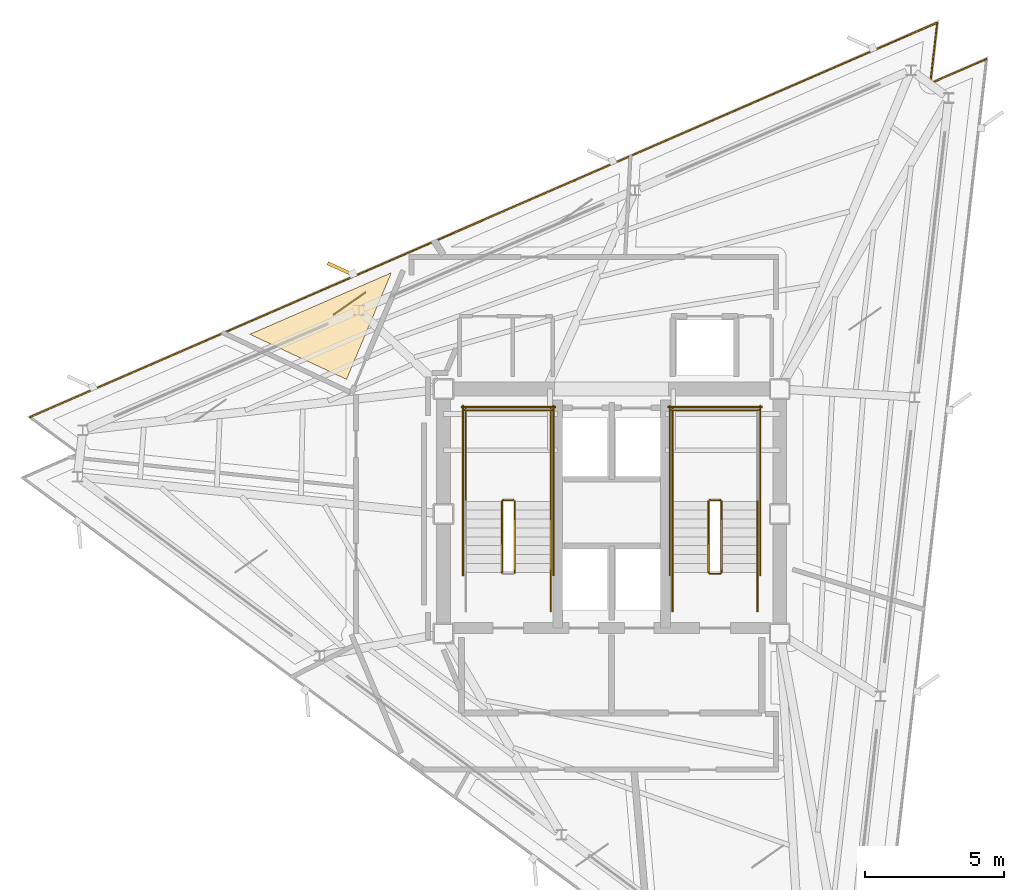
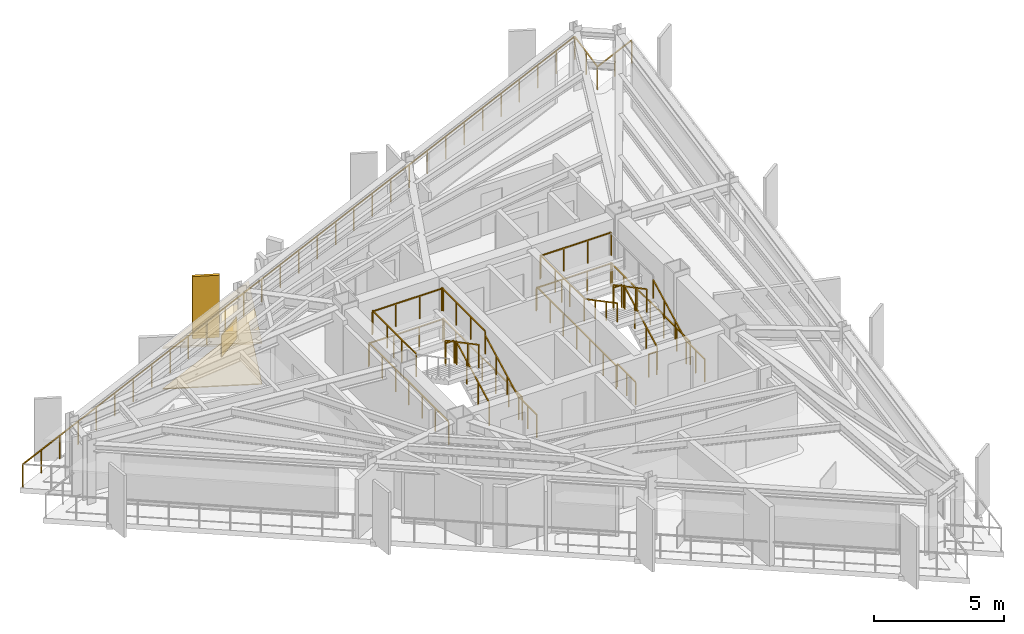
# One storey, part 9 of 10: 25 railings, 3 coverings, 1 shading device.
"""IFC4 building model written with IfcOpenShell, lengths in metres."""

from ifc_helpers import new_model, si_unit, direction, frame, origin, origin_2d, place, context, subcontext, project, spatial, polyline, rectangle, outline, extrude, material, layer, layer_set, type_object, element, save


model = new_model("IFC4")

# Units and contexts
model_context = context("Model", 3, precision=1e-05, world=origin(), true_north=direction((0.0, 1.0)))
body_context = subcontext(model_context, "Body", "Model", "MODEL_VIEW")
ifc_project = project(units=[si_unit("LENGTHUNIT", "METRE"), si_unit("AREAUNIT", "SQUARE_METRE"), si_unit("VOLUMEUNIT", "CUBIC_METRE"), si_unit("PLANEANGLEUNIT", "RADIAN"), si_unit("MASSUNIT", "GRAM", prefix="KILO")], contexts=[model_context])

# Site, building, storey
site_placement = place(None, origin())
site = spatial("IfcSite", under=ifc_project, at=site_placement, CompositionType="ELEMENT")
building_placement = place(site_placement, origin())
building = spatial("IfcBuilding", under=site, at=building_placement, Name="Rocaltana Carrier Exchange", CompositionType="ELEMENT")
storey_placement = place(building_placement, frame((0.0, 0.0, 227.0400390625)))
storey = spatial("IfcBuildingStorey", under=building, at=storey_placement, Name="L72", CompositionType="ELEMENT", Elevation=227.0400390625)

# Coverings
ifc_material_1 = material(Name="Honed Bogota Sandstone Tile", Category="masonry")
ifc_layer_1 = layer(ifc_material_1, 0.0400390625)
ifc_layer_set_1 = layer_set([ifc_layer_1], Name="Honed Bogota Sandstone Tile")
covering_type_1 = type_object("IfcCoveringType", Name="Honed Stone Lobby Flooring 40", PredefinedType="FLOORING", material=ifc_layer_set_1)
covering_1_placement = place(storey_placement, origin())
element("IfcCovering", 1, at=covering_1_placement, inside=storey, type_object=covering_type_1, Name="L72 Optical Switching Laboratory Finish Floor", PredefinedType="FLOORING", context=body_context, shape_type="SweptSolid", body=[
    extrude(outline(polyline([(-7.927490234375, 8.683837890625), (-9.541015625, 4.84619140625), (-13.021240234375, 6.468994140625), (-7.927490234375, 8.683837890625)])), origin(), (0.0, 0.0, 1.0), 0.0400390625),
])
ifc_material_2 = material(Name="Anodised Aluminium 6063-T6", Category="aluminium")
ifc_layer_2 = layer(ifc_material_2, 0.0849609375)
ifc_layer_set_2 = layer_set([ifc_layer_2], Name="Anodised Aluminium 6063-T6")
covering_type_2 = type_object("IfcCoveringType", Name="Linear Baffle Acoustic Ceiling 85", PredefinedType="CEILING", material=ifc_layer_set_2)
covering_2_placement = place(storey_placement, frame((0.0, 0.0, 1.903076171875)))
element("IfcCovering", 2, at=covering_2_placement, inside=storey, type_object=covering_type_2, Name="L72 Optical Switching Laboratory Acoustic Ceiling", PredefinedType="CEILING", context=body_context, shape_type="SweptSolid", body=[
    extrude(outline(polyline([(-7.927490234375, 8.683837890625), (-9.541015625, 4.84619140625), (-13.021240234375, 6.468994140625), (-7.927490234375, 8.683837890625)])), origin(), (0.0, 0.0, 1.0), 0.0849609375),
])

# Railings
ifc_material_3 = material(Name="Brushed Architectural Stainless Tube", Category="steel")
ifc_layer_3 = layer(ifc_material_3, 0.048095703125)
ifc_layer_set_3 = layer_set([ifc_layer_3], Name="Brushed Architectural Stainless Tube")
railing_type_1 = type_object("IfcRailingType", Name="Stair Wall Handrail 920", PredefinedType="HANDRAIL", material=ifc_layer_set_3)
for number, where, name in (
    (3, (-2.18994140625, -2.10009765625, 0.1689453125), "L72 ST-1 stair handrail 1"),
    (4, (5.25, -2.10009765625, 0.1689453125), "L72 ST-2 stair handrail 1"),
):
    element("IfcRailing", number, at=place(storey_placement, frame(where)), inside=storey, type_object=railing_type_1, Name=name, PredefinedType="HANDRAIL", context=body_context, shape_type="SweptSolid", body=[
        extrude(rectangle(XDim=0.048095703125, YDim=0.048095703125, at=origin_2d()), frame((0.0, 0.0, 0.8759765625), z_axis=(0.0, 0.884394423565, 0.466740295633), x_axis=(-1.0, 0.0, 0.0)), (0.0, 0.0, 1.0), 2.894775390625),
        extrude(rectangle(XDim=0.0419921875, YDim=0.0419921875, at=origin_2d()), origin(), (0.0, 0.0, 1.0), 0.851806640625),
        extrude(rectangle(XDim=0.0419921875, YDim=0.0419921875, at=origin_2d()), frame((0.0, 0.853271484375, 0.450439453125)), (0.0, 0.0, 1.0), 0.851806640625),
        extrude(rectangle(XDim=0.0419921875, YDim=0.0419921875, at=origin_2d()), frame((0.0, 1.706787109375, 0.900634765625)), (0.0, 0.0, 1.0), 0.851806640625),
        extrude(rectangle(XDim=0.0419921875, YDim=0.0419921875, at=origin_2d()), frame((0.0, 2.56005859375, 1.35107421875)), (0.0, 0.0, 1.0), 0.851806640625),
    ])
railing_1_placement = place(storey_placement, frame((2.18994140625, 0.4599609375, 1.68896484375)))
element("IfcRailing", 5, at=railing_1_placement, inside=storey, type_object=railing_type_1, Name="L72 ST-2 stair handrail 2", PredefinedType="HANDRAIL", context=body_context, shape_type="SweptSolid", body=[
    extrude(rectangle(XDim=0.048095703125, YDim=0.048095703125, at=origin_2d()), frame((0.0, 0.0, 0.8759765625), z_axis=(0.0, -0.884394423565, 0.466740295633), x_axis=(1.0, 0.0, 0.0)), (0.0, 0.0, 1.0), 2.894775390625),
    extrude(rectangle(XDim=0.0419921875, YDim=0.0419921875, at=origin_2d()), origin(), (0.0, 0.0, 1.0), 0.851806640625),
    extrude(rectangle(XDim=0.0419921875, YDim=0.0419921875, at=origin_2d()), frame((0.0, -0.853271484375, 0.450439453125)), (0.0, 0.0, 1.0), 0.851806640625),
    extrude(rectangle(XDim=0.0419921875, YDim=0.0419921875, at=origin_2d()), frame((0.0, -1.706787109375, 0.900634765625)), (0.0, 0.0, 1.0), 0.851806640625),
    extrude(rectangle(XDim=0.0419921875, YDim=0.0419921875, at=origin_2d()), frame((0.0, -2.56005859375, 1.35107421875)), (0.0, 0.0, 1.0), 0.851806640625),
])
ifc_material_4 = material(Name="Powder-Coated Aluminium 6063-T6", Category="aluminium")
ifc_layer_4 = layer(ifc_material_4, 0.048095703125)
ifc_layer_set_4 = layer_set([ifc_layer_4], Name="Powder-Coated Aluminium 6063-T6")
railing_type_2 = type_object("IfcRailingType", Name="Stair Well Guardrail 1100", PredefinedType="GUARDRAIL", material=ifc_layer_set_4)
railing_2_placement = place(storey_placement, frame((-3.489990234375, -2.10009765625, 0.1689453125)))
element("IfcRailing", 6, at=railing_2_placement, inside=storey, type_object=railing_type_2, Name="L72 ST-1 stair guard 1", PredefinedType="GUARDRAIL", context=body_context, shape_type="SweptSolid", body=[
    extrude(rectangle(XDim=0.048095703125, YDim=0.048095703125, at=origin_2d()), frame((0.0, 0.0, 1.076171875), z_axis=(0.0, 0.884394423565, 0.466740295633), x_axis=(-1.0, 0.0, 0.0)), (0.0, 0.0, 1.0), 2.894775390625),
    extrude(rectangle(XDim=0.0419921875, YDim=0.0419921875, at=origin_2d()), origin(), (0.0, 0.0, 1.0), 1.052001953125),
    extrude(rectangle(XDim=0.0419921875, YDim=0.0419921875, at=origin_2d()), frame((0.0, 0.853271484375, 0.450439453125)), (0.0, 0.0, 1.0), 1.052001953125),
    extrude(rectangle(XDim=0.0419921875, YDim=0.0419921875, at=origin_2d()), frame((0.0, 1.706787109375, 0.900634765625)), (0.0, 0.0, 1.0), 1.052001953125),
    extrude(rectangle(XDim=0.0419921875, YDim=0.0419921875, at=origin_2d()), frame((0.0, 2.56005859375, 1.35107421875)), (0.0, 0.0, 1.0), 1.052001953125),
])
railing_3_placement = place(storey_placement, frame((-3.5400390625, 0.510009765625, 1.52001953125)))
element("IfcRailing", 7, at=railing_3_placement, inside=storey, type_object=railing_type_2, Name="L72 ST-1 stair guard 2", PredefinedType="GUARDRAIL", context=body_context, shape_type="SweptSolid", body=[
    extrude(rectangle(XDim=0.048095703125, YDim=0.048095703125, at=origin_2d()), frame((0.0, 0.0, 1.076171875), z_axis=(-1.0, 0.0, 0.0), x_axis=(0.0, -1.0, 0.0)), (0.0, 0.0, 1.0), 0.35986328125),
    extrude(rectangle(XDim=0.0419921875, YDim=0.0419921875, at=origin_2d()), origin(), (0.0, 0.0, 1.0), 1.052001953125),
    extrude(rectangle(XDim=0.0419921875, YDim=0.0419921875, at=origin_2d()), frame((-0.35986328125, 0.0, 0.0)), (0.0, 0.0, 1.0), 1.052001953125),
])
for number, where, name in (
    (8, (-2.18994140625, 0.4599609375, 1.52001953125), "L72 ST-1 stair guard 3"),
    (9, (-5.25, 0.4599609375, 1.52001953125), "L72 ST-1 stair guard 4"),
):
    element("IfcRailing", number, at=place(storey_placement, frame(where)), inside=storey, type_object=railing_type_2, Name=name, PredefinedType="GUARDRAIL", context=body_context, shape_type="SweptSolid", body=[
        extrude(rectangle(XDim=0.048095703125, YDim=0.048095703125, at=origin_2d()), frame((0.0, 0.0, 1.076171875), z_axis=(0.0, 1.0, 0.0), x_axis=(-1.0, 0.0, 0.0)), (0.0, 0.0, 1.0), 3.340087890625),
        extrude(rectangle(XDim=0.0419921875, YDim=0.0419921875, at=origin_2d()), origin(), (0.0, 0.0, 1.0), 1.052001953125),
        extrude(rectangle(XDim=0.0419921875, YDim=0.0419921875, at=origin_2d()), frame((0.0, 1.11328125, 0.0)), (0.0, 0.0, 1.0), 1.052001953125),
        extrude(rectangle(XDim=0.0419921875, YDim=0.0419921875, at=origin_2d()), frame((0.0, 2.226806640625, 0.0)), (0.0, 0.0, 1.0), 1.052001953125),
        extrude(rectangle(XDim=0.0419921875, YDim=0.0419921875, at=origin_2d()), frame((0.0, 3.340087890625, 0.0)), (0.0, 0.0, 1.0), 1.052001953125),
    ])
railing_4_placement = place(storey_placement, frame((-2.139892578125, 3.75, 1.52001953125)))
element("IfcRailing", 10, at=railing_4_placement, inside=storey, type_object=railing_type_2, Name="L72 ST-1 stair guard 5", PredefinedType="GUARDRAIL", context=body_context, shape_type="SweptSolid", body=[
    extrude(rectangle(XDim=0.048095703125, YDim=0.048095703125, at=origin_2d()), frame((0.0, 0.0, 1.076171875), z_axis=(-1.0, 0.0, 0.0), x_axis=(0.0, -1.0, 0.0)), (0.0, 0.0, 1.0), 3.16015625),
    extrude(rectangle(XDim=0.0419921875, YDim=0.0419921875, at=origin_2d()), origin(), (0.0, 0.0, 1.0), 1.052001953125),
    extrude(rectangle(XDim=0.0419921875, YDim=0.0419921875, at=origin_2d()), frame((-1.053466796875, 0.0, 0.0)), (0.0, 0.0, 1.0), 1.052001953125),
    extrude(rectangle(XDim=0.0419921875, YDim=0.0419921875, at=origin_2d()), frame((-2.106689453125, 0.0, 0.0)), (0.0, 0.0, 1.0), 1.052001953125),
    extrude(rectangle(XDim=0.0419921875, YDim=0.0419921875, at=origin_2d()), frame((-3.16015625, 0.0, 0.0)), (0.0, 0.0, 1.0), 1.052001953125),
])
railing_5_placement = place(storey_placement, frame((-3.949951171875, 0.4599609375, 1.68896484375)))
element("IfcRailing", 11, at=railing_5_placement, inside=storey, type_object=railing_type_2, Name="L72 ST-1 stair guard 6", PredefinedType="GUARDRAIL", context=body_context, shape_type="SweptSolid", body=[
    extrude(rectangle(XDim=0.048095703125, YDim=0.048095703125, at=origin_2d()), frame((0.0, 0.0, 1.076171875), z_axis=(0.0, -0.884394423565, 0.466740295633), x_axis=(1.0, 0.0, 0.0)), (0.0, 0.0, 1.0), 2.894775390625),
    extrude(rectangle(XDim=0.0419921875, YDim=0.0419921875, at=origin_2d()), origin(), (0.0, 0.0, 1.0), 1.052001953125),
    extrude(rectangle(XDim=0.0419921875, YDim=0.0419921875, at=origin_2d()), frame((0.0, -0.853271484375, 0.450439453125)), (0.0, 0.0, 1.0), 1.052001953125),
    extrude(rectangle(XDim=0.0419921875, YDim=0.0419921875, at=origin_2d()), frame((0.0, -1.706787109375, 0.900634765625)), (0.0, 0.0, 1.0), 1.052001953125),
    extrude(rectangle(XDim=0.0419921875, YDim=0.0419921875, at=origin_2d()), frame((0.0, -2.56005859375, 1.35107421875)), (0.0, 0.0, 1.0), 1.052001953125),
])
railing_6_placement = place(storey_placement, frame((-2.18994140625, -3.5, 0.0)))
element("IfcRailing", 12, at=railing_6_placement, inside=storey, type_object=railing_type_2, Name="L72 ST-1 stair guard 8", PredefinedType="GUARDRAIL", context=body_context, shape_type="SweptSolid", body=[
    extrude(rectangle(XDim=0.048095703125, YDim=0.048095703125, at=origin_2d()), frame((0.0, 0.0, 1.076171875), z_axis=(0.0, 1.0, 0.0), x_axis=(-1.0, 0.0, 0.0)), (0.0, 0.0, 1.0), 1.39990234375),
    extrude(rectangle(XDim=0.0419921875, YDim=0.0419921875, at=origin_2d()), origin(), (0.0, 0.0, 1.0), 1.052001953125),
    extrude(rectangle(XDim=0.0419921875, YDim=0.0419921875, at=origin_2d()), frame((0.0, 0.699951171875, 0.0)), (0.0, 0.0, 1.0), 1.052001953125),
    extrude(rectangle(XDim=0.0419921875, YDim=0.0419921875, at=origin_2d()), frame((0.0, 1.39990234375, 0.0)), (0.0, 0.0, 1.0), 1.052001953125),
])
for number, where, name in (
    (13, (-2.090087890625, -2.199951171875, 0.0), "L72 ST-1 stair guard 10"),
    (14, (-5.35009765625, -2.199951171875, 0.0), "L72 ST-1 stair guard 11"),
):
    element("IfcRailing", number, at=place(storey_placement, frame(where)), inside=storey, type_object=railing_type_2, Name=name, PredefinedType="GUARDRAIL", context=body_context, shape_type="SweptSolid", body=[
        extrude(rectangle(XDim=0.048095703125, YDim=0.048095703125, at=origin_2d()), frame((0.0, 0.0, 1.076171875), z_axis=(0.0, 1.0, 0.0), x_axis=(-1.0, 0.0, 0.0)), (0.0, 0.0, 1.0), 6.099853515625),
        extrude(rectangle(XDim=0.0419921875, YDim=0.0419921875, at=origin_2d()), origin(), (0.0, 0.0, 1.0), 1.052001953125),
        extrude(rectangle(XDim=0.0419921875, YDim=0.0419921875, at=origin_2d()), frame((0.0, 1.0166015625, 0.0)), (0.0, 0.0, 1.0), 1.052001953125),
        extrude(rectangle(XDim=0.0419921875, YDim=0.0419921875, at=origin_2d()), frame((0.0, 2.033203125, 0.0)), (0.0, 0.0, 1.0), 1.052001953125),
        extrude(rectangle(XDim=0.0419921875, YDim=0.0419921875, at=origin_2d()), frame((0.0, 3.0498046875, 0.0)), (0.0, 0.0, 1.0), 1.052001953125),
        extrude(rectangle(XDim=0.0419921875, YDim=0.0419921875, at=origin_2d()), frame((0.0, 4.066650390625, 0.0)), (0.0, 0.0, 1.0), 1.052001953125),
        extrude(rectangle(XDim=0.0419921875, YDim=0.0419921875, at=origin_2d()), frame((0.0, 5.083251953125, 0.0)), (0.0, 0.0, 1.0), 1.052001953125),
        extrude(rectangle(XDim=0.0419921875, YDim=0.0419921875, at=origin_2d()), frame((0.0, 6.099853515625, 0.0)), (0.0, 0.0, 1.0), 1.052001953125),
    ])
railing_7_placement = place(storey_placement, frame((-2.0400390625, 3.85009765625, 0.0)))
element("IfcRailing", 15, at=railing_7_placement, inside=storey, type_object=railing_type_2, Name="L72 ST-1 stair guard 12", PredefinedType="GUARDRAIL", context=body_context, shape_type="SweptSolid", body=[
    extrude(rectangle(XDim=0.048095703125, YDim=0.048095703125, at=origin_2d()), frame((0.0, 0.0, 1.076171875), z_axis=(-1.0, 0.0, 0.0), x_axis=(0.0, -1.0, 0.0)), (0.0, 0.0, 1.0), 3.35986328125),
    extrude(rectangle(XDim=0.0419921875, YDim=0.0419921875, at=origin_2d()), origin(), (0.0, 0.0, 1.0), 1.052001953125),
    extrude(rectangle(XDim=0.0419921875, YDim=0.0419921875, at=origin_2d()), frame((-1.119873046875, 0.0, 0.0)), (0.0, 0.0, 1.0), 1.052001953125),
    extrude(rectangle(XDim=0.0419921875, YDim=0.0419921875, at=origin_2d()), frame((-2.239990234375, 0.0, 0.0)), (0.0, 0.0, 1.0), 1.052001953125),
    extrude(rectangle(XDim=0.0419921875, YDim=0.0419921875, at=origin_2d()), frame((-3.35986328125, 0.0, 0.0)), (0.0, 0.0, 1.0), 1.052001953125),
])
railing_8_placement = place(storey_placement, frame((3.949951171875, -2.10009765625, 0.1689453125)))
element("IfcRailing", 16, at=railing_8_placement, inside=storey, type_object=railing_type_2, Name="L72 ST-2 stair guard 1", PredefinedType="GUARDRAIL", context=body_context, shape_type="SweptSolid", body=[
    extrude(rectangle(XDim=0.048095703125, YDim=0.048095703125, at=origin_2d()), frame((0.0, 0.0, 1.076171875), z_axis=(0.0, 0.884394423565, 0.466740295633), x_axis=(-1.0, 0.0, 0.0)), (0.0, 0.0, 1.0), 2.894775390625),
    extrude(rectangle(XDim=0.0419921875, YDim=0.0419921875, at=origin_2d()), origin(), (0.0, 0.0, 1.0), 1.052001953125),
    extrude(rectangle(XDim=0.0419921875, YDim=0.0419921875, at=origin_2d()), frame((0.0, 0.853271484375, 0.450439453125)), (0.0, 0.0, 1.0), 1.052001953125),
    extrude(rectangle(XDim=0.0419921875, YDim=0.0419921875, at=origin_2d()), frame((0.0, 1.706787109375, 0.900634765625)), (0.0, 0.0, 1.0), 1.052001953125),
    extrude(rectangle(XDim=0.0419921875, YDim=0.0419921875, at=origin_2d()), frame((0.0, 2.56005859375, 1.35107421875)), (0.0, 0.0, 1.0), 1.052001953125),
])
railing_9_placement = place(storey_placement, frame((3.89990234375, 0.510009765625, 1.52001953125)))
element("IfcRailing", 17, at=railing_9_placement, inside=storey, type_object=railing_type_2, Name="L72 ST-2 stair guard 2", PredefinedType="GUARDRAIL", context=body_context, shape_type="SweptSolid", body=[
    extrude(rectangle(XDim=0.048095703125, YDim=0.048095703125, at=origin_2d()), frame((0.0, 0.0, 1.076171875), z_axis=(-1.0, 0.0, 0.0), x_axis=(0.0, -1.0, 0.0)), (0.0, 0.0, 1.0), 0.35986328125),
    extrude(rectangle(XDim=0.0419921875, YDim=0.0419921875, at=origin_2d()), origin(), (0.0, 0.0, 1.0), 1.052001953125),
    extrude(rectangle(XDim=0.0419921875, YDim=0.0419921875, at=origin_2d()), frame((-0.35986328125, 0.0, 0.0)), (0.0, 0.0, 1.0), 1.052001953125),
])
railing_10_placement = place(storey_placement, frame((2.18994140625, 0.4599609375, 1.52001953125)))
element("IfcRailing", 18, at=railing_10_placement, inside=storey, type_object=railing_type_2, Name="L72 ST-2 stair guard 4", PredefinedType="GUARDRAIL", context=body_context, shape_type="SweptSolid", body=[
    extrude(rectangle(XDim=0.048095703125, YDim=0.048095703125, at=origin_2d()), frame((0.0, 0.0, 1.076171875), z_axis=(0.0, 1.0, 0.0), x_axis=(-1.0, 0.0, 0.0)), (0.0, 0.0, 1.0), 3.340087890625),
    extrude(rectangle(XDim=0.0419921875, YDim=0.0419921875, at=origin_2d()), origin(), (0.0, 0.0, 1.0), 1.052001953125),
    extrude(rectangle(XDim=0.0419921875, YDim=0.0419921875, at=origin_2d()), frame((0.0, 1.11328125, 0.0)), (0.0, 0.0, 1.0), 1.052001953125),
    extrude(rectangle(XDim=0.0419921875, YDim=0.0419921875, at=origin_2d()), frame((0.0, 2.226806640625, 0.0)), (0.0, 0.0, 1.0), 1.052001953125),
    extrude(rectangle(XDim=0.0419921875, YDim=0.0419921875, at=origin_2d()), frame((0.0, 3.340087890625, 0.0)), (0.0, 0.0, 1.0), 1.052001953125),
])
railing_11_placement = place(storey_placement, frame((5.300048828125, 3.75, 1.52001953125)))
element("IfcRailing", 19, at=railing_11_placement, inside=storey, type_object=railing_type_2, Name="L72 ST-2 stair guard 5", PredefinedType="GUARDRAIL", context=body_context, shape_type="SweptSolid", body=[
    extrude(rectangle(XDim=0.048095703125, YDim=0.048095703125, at=origin_2d()), frame((0.0, 0.0, 1.076171875), z_axis=(-1.0, 0.0, 0.0), x_axis=(0.0, -1.0, 0.0)), (0.0, 0.0, 1.0), 3.16015625),
    extrude(rectangle(XDim=0.0419921875, YDim=0.0419921875, at=origin_2d()), origin(), (0.0, 0.0, 1.0), 1.052001953125),
    extrude(rectangle(XDim=0.0419921875, YDim=0.0419921875, at=origin_2d()), frame((-1.053466796875, 0.0, 0.0)), (0.0, 0.0, 1.0), 1.052001953125),
    extrude(rectangle(XDim=0.0419921875, YDim=0.0419921875, at=origin_2d()), frame((-2.106689453125, 0.0, 0.0)), (0.0, 0.0, 1.0), 1.052001953125),
    extrude(rectangle(XDim=0.0419921875, YDim=0.0419921875, at=origin_2d()), frame((-3.16015625, 0.0, 0.0)), (0.0, 0.0, 1.0), 1.052001953125),
])
railing_12_placement = place(storey_placement, frame((3.489990234375, 0.4599609375, 1.68896484375)))
element("IfcRailing", 20, at=railing_12_placement, inside=storey, type_object=railing_type_2, Name="L72 ST-2 stair guard 6", PredefinedType="GUARDRAIL", context=body_context, shape_type="SweptSolid", body=[
    extrude(rectangle(XDim=0.048095703125, YDim=0.048095703125, at=origin_2d()), frame((0.0, 0.0, 1.076171875), z_axis=(0.0, -0.884394423565, 0.466740295633), x_axis=(1.0, 0.0, 0.0)), (0.0, 0.0, 1.0), 2.894775390625),
    extrude(rectangle(XDim=0.0419921875, YDim=0.0419921875, at=origin_2d()), origin(), (0.0, 0.0, 1.0), 1.052001953125),
    extrude(rectangle(XDim=0.0419921875, YDim=0.0419921875, at=origin_2d()), frame((0.0, -0.853271484375, 0.450439453125)), (0.0, 0.0, 1.0), 1.052001953125),
    extrude(rectangle(XDim=0.0419921875, YDim=0.0419921875, at=origin_2d()), frame((0.0, -1.706787109375, 0.900634765625)), (0.0, 0.0, 1.0), 1.052001953125),
    extrude(rectangle(XDim=0.0419921875, YDim=0.0419921875, at=origin_2d()), frame((0.0, -2.56005859375, 1.35107421875)), (0.0, 0.0, 1.0), 1.052001953125),
])
railing_13_placement = place(storey_placement, frame((3.89990234375, -2.14990234375, 0.0)))
element("IfcRailing", 21, at=railing_13_placement, inside=storey, type_object=railing_type_2, Name="L72 ST-2 stair guard 7", PredefinedType="GUARDRAIL", context=body_context, shape_type="SweptSolid", body=[
    extrude(rectangle(XDim=0.048095703125, YDim=0.048095703125, at=origin_2d()), frame((0.0, 0.0, 1.076171875), z_axis=(-1.0, 0.0, 0.0), x_axis=(0.0, -1.0, 0.0)), (0.0, 0.0, 1.0), 0.35986328125),
    extrude(rectangle(XDim=0.0419921875, YDim=0.0419921875, at=origin_2d()), origin(), (0.0, 0.0, 1.0), 1.052001953125),
    extrude(rectangle(XDim=0.0419921875, YDim=0.0419921875, at=origin_2d()), frame((-0.35986328125, 0.0, 0.0)), (0.0, 0.0, 1.0), 1.052001953125),
])
for number, where, name in (
    (22, (5.25, -3.5, 0.0), "L72 ST-2 stair guard 8"),
    (23, (2.18994140625, -3.5, 0.0), "L72 ST-2 stair guard 9"),
):
    element("IfcRailing", number, at=place(storey_placement, frame(where)), inside=storey, type_object=railing_type_2, Name=name, PredefinedType="GUARDRAIL", context=body_context, shape_type="SweptSolid", body=[
        extrude(rectangle(XDim=0.048095703125, YDim=0.048095703125, at=origin_2d()), frame((0.0, 0.0, 1.076171875), z_axis=(0.0, 1.0, 0.0), x_axis=(-1.0, 0.0, 0.0)), (0.0, 0.0, 1.0), 1.39990234375),
        extrude(rectangle(XDim=0.0419921875, YDim=0.0419921875, at=origin_2d()), origin(), (0.0, 0.0, 1.0), 1.052001953125),
        extrude(rectangle(XDim=0.0419921875, YDim=0.0419921875, at=origin_2d()), frame((0.0, 0.699951171875, 0.0)), (0.0, 0.0, 1.0), 1.052001953125),
        extrude(rectangle(XDim=0.0419921875, YDim=0.0419921875, at=origin_2d()), frame((0.0, 1.39990234375, 0.0)), (0.0, 0.0, 1.0), 1.052001953125),
    ])
for number, where, name in (
    (24, (5.35009765625, -2.199951171875, 0.0), "L72 ST-2 stair guard 10"),
    (25, (2.090087890625, -2.199951171875, 0.0), "L72 ST-2 stair guard 11"),
):
    element("IfcRailing", number, at=place(storey_placement, frame(where)), inside=storey, type_object=railing_type_2, Name=name, PredefinedType="GUARDRAIL", context=body_context, shape_type="SweptSolid", body=[
        extrude(rectangle(XDim=0.048095703125, YDim=0.048095703125, at=origin_2d()), frame((0.0, 0.0, 1.076171875), z_axis=(0.0, 1.0, 0.0), x_axis=(-1.0, 0.0, 0.0)), (0.0, 0.0, 1.0), 6.099853515625),
        extrude(rectangle(XDim=0.0419921875, YDim=0.0419921875, at=origin_2d()), origin(), (0.0, 0.0, 1.0), 1.052001953125),
        extrude(rectangle(XDim=0.0419921875, YDim=0.0419921875, at=origin_2d()), frame((0.0, 1.0166015625, 0.0)), (0.0, 0.0, 1.0), 1.052001953125),
        extrude(rectangle(XDim=0.0419921875, YDim=0.0419921875, at=origin_2d()), frame((0.0, 2.033203125, 0.0)), (0.0, 0.0, 1.0), 1.052001953125),
        extrude(rectangle(XDim=0.0419921875, YDim=0.0419921875, at=origin_2d()), frame((0.0, 3.0498046875, 0.0)), (0.0, 0.0, 1.0), 1.052001953125),
        extrude(rectangle(XDim=0.0419921875, YDim=0.0419921875, at=origin_2d()), frame((0.0, 4.066650390625, 0.0)), (0.0, 0.0, 1.0), 1.052001953125),
        extrude(rectangle(XDim=0.0419921875, YDim=0.0419921875, at=origin_2d()), frame((0.0, 5.083251953125, 0.0)), (0.0, 0.0, 1.0), 1.052001953125),
        extrude(rectangle(XDim=0.0419921875, YDim=0.0419921875, at=origin_2d()), frame((0.0, 6.099853515625, 0.0)), (0.0, 0.0, 1.0), 1.052001953125),
    ])
railing_14_placement = place(storey_placement, frame((5.39990234375, 3.85009765625, 0.0)))
element("IfcRailing", 26, at=railing_14_placement, inside=storey, type_object=railing_type_2, Name="L72 ST-2 stair guard 12", PredefinedType="GUARDRAIL", context=body_context, shape_type="SweptSolid", body=[
    extrude(rectangle(XDim=0.048095703125, YDim=0.048095703125, at=origin_2d()), frame((0.0, 0.0, 1.076171875), z_axis=(-1.0, 0.0, 0.0), x_axis=(0.0, -1.0, 0.0)), (0.0, 0.0, 1.0), 3.35986328125),
    extrude(rectangle(XDim=0.0419921875, YDim=0.0419921875, at=origin_2d()), origin(), (0.0, 0.0, 1.0), 1.052001953125),
    extrude(rectangle(XDim=0.0419921875, YDim=0.0419921875, at=origin_2d()), frame((-1.119873046875, 0.0, 0.0)), (0.0, 0.0, 1.0), 1.052001953125),
    extrude(rectangle(XDim=0.0419921875, YDim=0.0419921875, at=origin_2d()), frame((-2.239990234375, 0.0, 0.0)), (0.0, 0.0, 1.0), 1.052001953125),
    extrude(rectangle(XDim=0.0419921875, YDim=0.0419921875, at=origin_2d()), frame((-3.35986328125, 0.0, 0.0)), (0.0, 0.0, 1.0), 1.052001953125),
])

# Covering
ifc_material_5 = material(Name="Honed Piedra Muneca Sandstone", Category="masonry")
ifc_layer_5 = layer(ifc_material_5, 0.034912109375)
ifc_layer_set_5 = layer_set([ifc_layer_5], Name="Honed Piedra Muneca Sandstone")
covering_type_3 = type_object("IfcCoveringType", Name="Stone Facade Cladding 35", PredefinedType="CLADDING", material=ifc_layer_set_5)
covering_3_placement = place(storey_placement, frame((-9.43359375, 7.576416015625, 0.0), z_axis=(0.0, 0.0, 1.0), x_axis=(0.819152044289, 0.573576436351, 0.0)))
element("IfcCovering", 27, at=covering_3_placement, inside=storey, type_object=covering_type_3, Name="L72 Stone Facade Cladding Panel 6", PredefinedType="CLADDING", context=body_context, shape_type="SweptSolid", body=[
    extrude(rectangle(XDim=1.39990234375, YDim=0.034912109375, at=origin_2d()), origin(), (0.0, 0.0, 1.0), 1.050048828125),
])

# Shading device
ifc_material_6 = material(Name="Honed Bogota Sandstone & Concrete C45/55", Category="masonry")
ifc_layer_6 = layer(ifc_material_6, 0.1201171875)
ifc_layer_set_6 = layer_set([ifc_layer_6], Name="Honed Bogota Sandstone & Concrete C45/55")
shading_device_type = type_object("IfcShadingDeviceType", Name="Upper Sandstone Shading Fin 1050x120", PredefinedType="USERDEFINED", material=ifc_layer_set_6)
shading_device_placement = place(storey_placement, frame((-9.74560546875, 8.809814453125, -0.1201171875), z_axis=(0.0, 0.0, 1.0), x_axis=(-0.909961270877, 0.414693242656, 0.0)))
element("IfcShadingDevice", 28, at=shading_device_placement, inside=storey, type_object=shading_device_type, Name="L72 Sandstone Vertical Fin F2-03", ObjectType="FIN", PredefinedType="USERDEFINED", context=body_context, shape_type="SweptSolid", body=[
    extrude(rectangle(XDim=1.050048828125, YDim=0.1201171875, at=origin_2d()), origin(), (0.0, 0.0, 1.0), 2.91796875),
])

# Railing
ifc_material_7 = material(Name="Powder-Coated Aluminium 6063-T6", Category="aluminium")
ifc_layer_7 = layer(ifc_material_7, 0.06005859375)
ifc_layer_set_7 = layer_set([ifc_layer_7], Name="Powder-Coated Aluminium 6063-T6")
railing_type_3 = type_object("IfcRailingType", Name="Wind-Floor & Terrace Perimeter Guardrail 1100", PredefinedType="GUARDRAIL", material=ifc_layer_set_7)
railing_15_placement = place(storey_placement, frame((-20.923583984375, 3.490966796875, 0.0)))
element("IfcRailing", 29, at=railing_15_placement, inside=storey, type_object=railing_type_3, Name="L72 Perimeter Balcony Guardrail 2", PredefinedType="GUARDRAIL", context=body_context, shape_type="SweptSolid", body=[
    extrude(rectangle(XDim=0.048095703125, YDim=0.048095703125, at=origin_2d()), frame((0.0, 0.0, 1.076171875), z_axis=(0.917059586912, 0.398750190034, 0.0), x_axis=(-0.398750190034, 0.917059586912, 0.0)), (0.0, 0.0, 1.0), 35.59228515625),
    extrude(rectangle(XDim=0.048095703125, YDim=0.048095703125, at=origin_2d()), frame((32.64013671875, 14.1923828125, 1.076171875), z_axis=(-0.113196037832, -0.993572673245, 0.0), x_axis=(0.993572673245, -0.113196037832, 0.0)), (0.0, 0.0, 1.0), 2.199951171875),
    extrude(rectangle(XDim=0.048095703125, YDim=0.048095703125, at=origin_2d()), frame((32.39111328125, 12.006591796875, 1.076171875), z_axis=(0.917071820503, 0.398722053614, 0.0), x_axis=(-0.398722053614, 0.917071820503, 0.0)), (0.0, 0.0, 1.0), 2.199951171875),
    extrude(rectangle(XDim=0.0419921875, YDim=0.0419921875, at=origin_2d()), origin(), (0.0, 0.0, 1.0), 1.052001953125),
    extrude(rectangle(XDim=0.0419921875, YDim=0.0419921875, at=origin_2d()), frame((1.087890625, 0.47314453125, 0.0)), (0.0, 0.0, 1.0), 1.052001953125),
    extrude(rectangle(XDim=0.0419921875, YDim=0.0419921875, at=origin_2d()), frame((2.176025390625, 0.946044921875, 0.0)), (0.0, 0.0, 1.0), 1.052001953125),
    extrude(rectangle(XDim=0.0419921875, YDim=0.0419921875, at=origin_2d()), frame((3.263916015625, 1.419189453125, 0.0)), (0.0, 0.0, 1.0), 1.052001953125),
    extrude(rectangle(XDim=0.0419921875, YDim=0.0419921875, at=origin_2d()), frame((4.35205078125, 1.892333984375, 0.0)), (0.0, 0.0, 1.0), 1.052001953125),
    extrude(rectangle(XDim=0.0419921875, YDim=0.0419921875, at=origin_2d()), frame((5.43994140625, 2.365478515625, 0.0)), (0.0, 0.0, 1.0), 1.052001953125),
    extrude(rectangle(XDim=0.0419921875, YDim=0.0419921875, at=origin_2d()), frame((6.528076171875, 2.83837890625, 0.0)), (0.0, 0.0, 1.0), 1.052001953125),
    extrude(rectangle(XDim=0.0419921875, YDim=0.0419921875, at=origin_2d()), frame((7.615966796875, 3.3115234375, 0.0)), (0.0, 0.0, 1.0), 1.052001953125),
    extrude(rectangle(XDim=0.0419921875, YDim=0.0419921875, at=origin_2d()), frame((8.7041015625, 3.78466796875, 0.0)), (0.0, 0.0, 1.0), 1.052001953125),
    extrude(rectangle(XDim=0.0419921875, YDim=0.0419921875, at=origin_2d()), frame((9.7919921875, 4.2578125, 0.0)), (0.0, 0.0, 1.0), 1.052001953125),
    extrude(rectangle(XDim=0.0419921875, YDim=0.0419921875, at=origin_2d()), frame((10.880126953125, 4.730712890625, 0.0)), (0.0, 0.0, 1.0), 1.052001953125),
    extrude(rectangle(XDim=0.0419921875, YDim=0.0419921875, at=origin_2d()), frame((11.968017578125, 5.203857421875, 0.0)), (0.0, 0.0, 1.0), 1.052001953125),
    extrude(rectangle(XDim=0.0419921875, YDim=0.0419921875, at=origin_2d()), frame((13.05615234375, 5.677001953125, 0.0)), (0.0, 0.0, 1.0), 1.052001953125),
    extrude(rectangle(XDim=0.0419921875, YDim=0.0419921875, at=origin_2d()), frame((14.14404296875, 6.150146484375, 0.0)), (0.0, 0.0, 1.0), 1.052001953125),
    extrude(rectangle(XDim=0.0419921875, YDim=0.0419921875, at=origin_2d()), frame((15.232177734375, 6.623046875, 0.0)), (0.0, 0.0, 1.0), 1.052001953125),
    extrude(rectangle(XDim=0.0419921875, YDim=0.0419921875, at=origin_2d()), frame((16.320068359375, 7.09619140625, 0.0)), (0.0, 0.0, 1.0), 1.052001953125),
    extrude(rectangle(XDim=0.0419921875, YDim=0.0419921875, at=origin_2d()), frame((17.407958984375, 7.5693359375, 0.0)), (0.0, 0.0, 1.0), 1.052001953125),
    extrude(rectangle(XDim=0.0419921875, YDim=0.0419921875, at=origin_2d()), frame((18.49609375, 8.042236328125, 0.0)), (0.0, 0.0, 1.0), 1.052001953125),
    extrude(rectangle(XDim=0.0419921875, YDim=0.0419921875, at=origin_2d()), frame((19.583984375, 8.515380859375, 0.0)), (0.0, 0.0, 1.0), 1.052001953125),
    extrude(rectangle(XDim=0.0419921875, YDim=0.0419921875, at=origin_2d()), frame((20.672119140625, 8.988525390625, 0.0)), (0.0, 0.0, 1.0), 1.052001953125),
    extrude(rectangle(XDim=0.0419921875, YDim=0.0419921875, at=origin_2d()), frame((21.760009765625, 9.461669921875, 0.0)), (0.0, 0.0, 1.0), 1.052001953125),
    extrude(rectangle(XDim=0.0419921875, YDim=0.0419921875, at=origin_2d()), frame((22.84814453125, 9.9345703125, 0.0)), (0.0, 0.0, 1.0), 1.052001953125),
    extrude(rectangle(XDim=0.0419921875, YDim=0.0419921875, at=origin_2d()), frame((23.93603515625, 10.40771484375, 0.0)), (0.0, 0.0, 1.0), 1.052001953125),
    extrude(rectangle(XDim=0.0419921875, YDim=0.0419921875, at=origin_2d()), frame((25.024169921875, 10.880859375, 0.0)), (0.0, 0.0, 1.0), 1.052001953125),
    extrude(rectangle(XDim=0.0419921875, YDim=0.0419921875, at=origin_2d()), frame((26.112060546875, 11.35400390625, 0.0)), (0.0, 0.0, 1.0), 1.052001953125),
    extrude(rectangle(XDim=0.0419921875, YDim=0.0419921875, at=origin_2d()), frame((27.2001953125, 11.826904296875, 0.0)), (0.0, 0.0, 1.0), 1.052001953125),
    extrude(rectangle(XDim=0.0419921875, YDim=0.0419921875, at=origin_2d()), frame((28.2880859375, 12.300048828125, 0.0)), (0.0, 0.0, 1.0), 1.052001953125),
    extrude(rectangle(XDim=0.0419921875, YDim=0.0419921875, at=origin_2d()), frame((29.376220703125, 12.773193359375, 0.0)), (0.0, 0.0, 1.0), 1.052001953125),
    extrude(rectangle(XDim=0.0419921875, YDim=0.0419921875, at=origin_2d()), frame((30.464111328125, 13.246337890625, 0.0)), (0.0, 0.0, 1.0), 1.052001953125),
    extrude(rectangle(XDim=0.0419921875, YDim=0.0419921875, at=origin_2d()), frame((31.55224609375, 13.71923828125, 0.0)), (0.0, 0.0, 1.0), 1.052001953125),
    extrude(rectangle(XDim=0.0419921875, YDim=0.0419921875, at=origin_2d()), frame((32.64013671875, 14.1923828125, 0.0)), (0.0, 0.0, 1.0), 1.052001953125),
    extrude(rectangle(XDim=0.0419921875, YDim=0.0419921875, at=origin_2d()), frame((32.515625, 13.099609375, 0.0)), (0.0, 0.0, 1.0), 1.052001953125),
    extrude(rectangle(XDim=0.0419921875, YDim=0.0419921875, at=origin_2d()), frame((32.39111328125, 12.006591796875, 0.0)), (0.0, 0.0, 1.0), 1.052001953125),
    extrude(rectangle(XDim=0.0419921875, YDim=0.0419921875, at=origin_2d()), frame((33.39990234375, 12.4453125, 0.0)), (0.0, 0.0, 1.0), 1.052001953125),
    extrude(rectangle(XDim=0.0419921875, YDim=0.0419921875, at=origin_2d()), frame((34.40869140625, 12.8837890625, 0.0)), (0.0, 0.0, 1.0), 1.052001953125),
])

save(model, "model.ifc")
